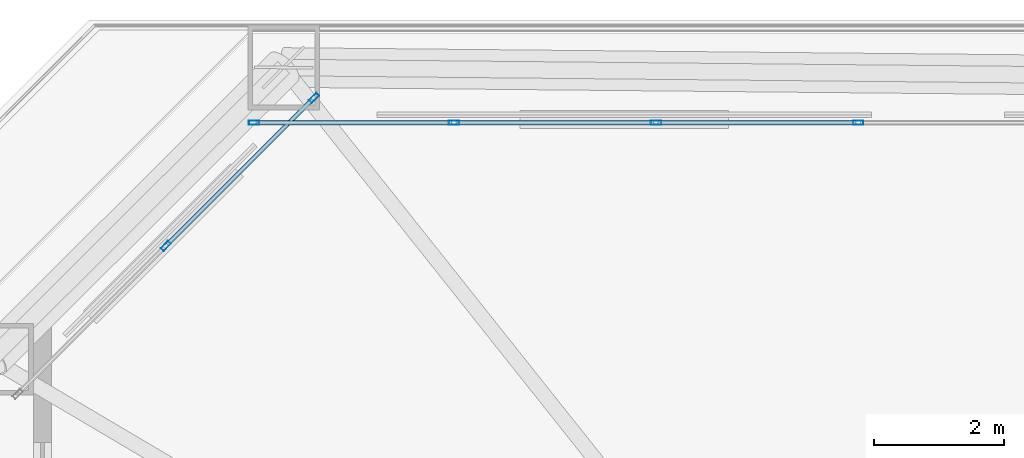
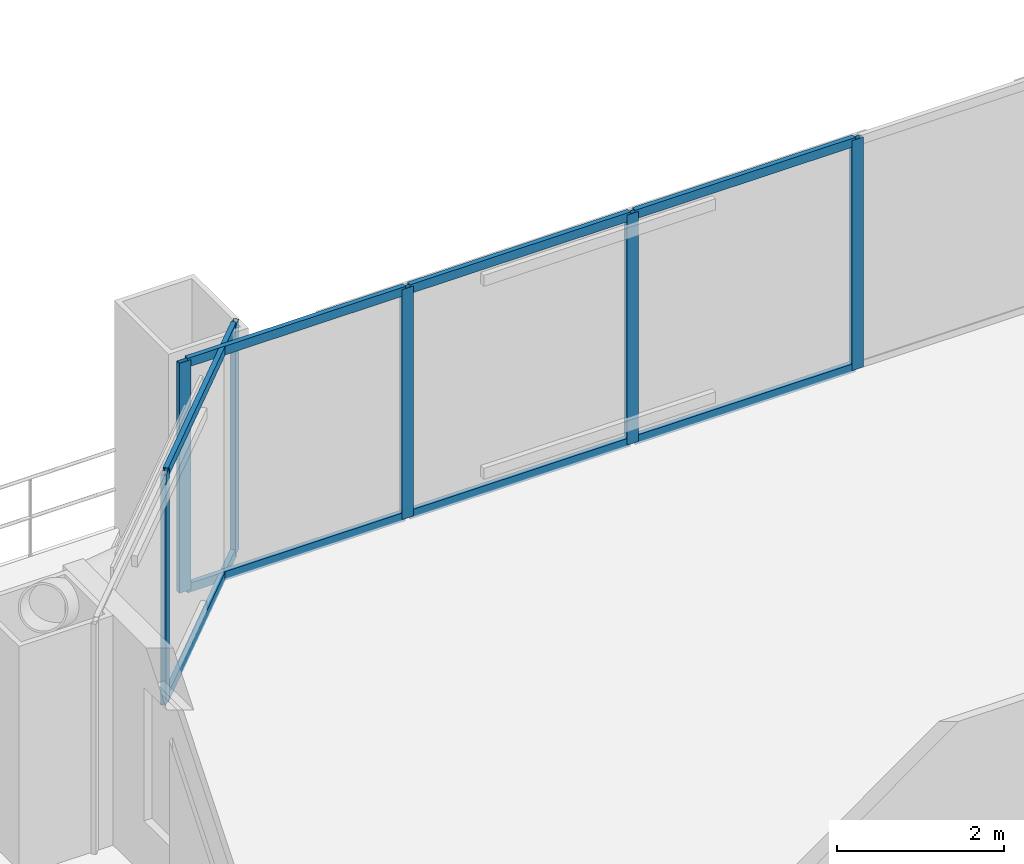
# One storey, part 19 of 34: 14 members, 2 elements without a shape of their own.
"""IFC4 building model written with IfcOpenShell, lengths in metres."""

from ifc_helpers import new_model, si_unit, direction, frame, origin, origin_2d, place, context, subcontext, project, spatial, hollow_rectangle, extrude, material, layer, layer_set, material_profile, profile_set, type_object, element, aggregate, save


model = new_model("IFC4")

# Units and contexts
model_context = context("Model", 3, precision=1e-05, world=origin(), true_north=direction((0.0, 1.0)))
body_context = subcontext(model_context, "Body", "Model", "MODEL_VIEW")
ifc_project = project(units=[si_unit("LENGTHUNIT", "METRE"), si_unit("AREAUNIT", "SQUARE_METRE"), si_unit("VOLUMEUNIT", "CUBIC_METRE"), si_unit("PLANEANGLEUNIT", "RADIAN"), si_unit("MASSUNIT", "GRAM", prefix="KILO")], contexts=[model_context])

# Site, building, storey
site_placement = place(None, origin())
site = spatial("IfcSite", under=ifc_project, at=site_placement, CompositionType="ELEMENT")
building_placement = place(site_placement, origin())
building = spatial("IfcBuilding", under=site, at=building_placement, Name="Caelvoria Tower", CompositionType="ELEMENT")
storey_placement = place(building_placement, frame((0.0, 0.0, 28.0)))
storey = spatial("IfcBuildingStorey", under=building, at=storey_placement, Name="L06", CompositionType="ELEMENT", Elevation=28.0)

# Curtain wall, members
ifc_material_1 = material(Name="Anodised Bronze Aluminium and Low-E Glass", Category="aluminium")
ifc_layer = layer(ifc_material_1, 0.18505859375, Name="Anodised Bronze Aluminium and Low-E Glass")
ifc_layer_set = layer_set([ifc_layer], Name="CW System 2 Lower Tower Bronze Unitised Facade - Anodised Bronze Aluminium and Low-E Glass")
curtain_wall_type = type_object("IfcCurtainWallType", Name="CW System 2 Lower Tower Bronze Unitised Facade", PredefinedType="NOTDEFINED", material=ifc_layer_set)
curtain_wall_1_placement = place(storey_placement, origin())
curtain_wall_1 = element("IfcCurtainWall", 1, at=curtain_wall_1_placement, inside=storey, type_object=curtain_wall_type, Name="CW-02 Curtain Wall L06-E4", PredefinedType="NOTDEFINED")
ifc_material_2 = material(Name="Anodised Bronze Architectural Aluminium", Category="aluminium")
ifc_material_profile_1 = material_profile(ifc_material_2, hollow_rectangle(XDim=0.06494140625, YDim=0.159912109375, WallThickness=0.00390625, at=origin_2d()), Name="Anodised Bronze Architectural Aluminium")
ifc_profile_set_1 = profile_set([ifc_material_profile_1], Name="CW_MULL_65X160 - Anodised Bronze Architectural Aluminium")
member_type_1 = type_object("IfcMemberType", Name="Curtain Wall Mullion 65x160 Bronze Aluminium", PredefinedType="MULLION", material=ifc_profile_set_1)
member_1_placement = place(storey_placement, frame((35.123046875, 52.6201171875, 0.0), z_axis=(0.0, 0.0, 1.0), x_axis=(0.0, -1.0, 0.0)))
member_1 = element("IfcMember", 2, at=member_1_placement, type_object=member_type_1, Name="CW-02 mullion 11", PredefinedType="MULLION", context=body_context, shape_type="SweptSolid", body=[
    extrude(hollow_rectangle(XDim=0.06494140625, YDim=0.159912109375, WallThickness=0.00390625, at=origin_2d()), origin(), (0.0, 0.0, 1.0), 3.360107421875),
])
member_2_placement = place(storey_placement, frame((32.015380859375, 52.6201171875, 0.0), z_axis=(0.0, 0.0, 1.0), x_axis=(0.0, -1.0, 0.0)))
member_2 = element("IfcMember", 3, at=member_2_placement, type_object=member_type_1, Name="CW-02 mullion 12", PredefinedType="MULLION", context=body_context, shape_type="SweptSolid", body=[
    extrude(hollow_rectangle(XDim=0.06494140625, YDim=0.159912109375, WallThickness=0.00390625, at=origin_2d()), origin(), (0.0, 0.0, 1.0), 3.360107421875),
])
member_3_placement = place(storey_placement, frame((28.90771484375, 52.6201171875, 0.0), z_axis=(0.0, 0.0, 1.0), x_axis=(0.0, -1.0, 0.0)))
member_3 = element("IfcMember", 4, at=member_3_placement, type_object=member_type_1, Name="CW-02 mullion 13", PredefinedType="MULLION", context=body_context, shape_type="SweptSolid", body=[
    extrude(hollow_rectangle(XDim=0.06494140625, YDim=0.159912109375, WallThickness=0.00390625, at=origin_2d()), origin(), (0.0, 0.0, 1.0), 3.360107421875),
])
member_4_placement = place(storey_placement, frame((25.83251953125, 52.6201171875, 0.0), z_axis=(0.0, 0.0, 1.0), x_axis=(0.0, -1.0, 0.0)))
member_4 = element("IfcMember", 5, at=member_4_placement, type_object=member_type_1, Name="CW-02 mullion 14", PredefinedType="MULLION", context=body_context, shape_type="SweptSolid", body=[
    extrude(hollow_rectangle(XDim=0.06494140625, YDim=0.159912109375, WallThickness=0.00390625, at=origin_2d()), origin(), (0.0, 0.0, 1.0), 3.360107421875),
])

curtain_wall_2_placement = place(storey_placement, origin())
curtain_wall_2 = element("IfcCurtainWall", 6, at=curtain_wall_2_placement, inside=storey, type_object=curtain_wall_type, Name="CW-02 Curtain Wall L06-E5", PredefinedType="NOTDEFINED")
member_5_placement = place(storey_placement, frame((26.7529296875, 53.001220703125, 0.0), z_axis=(0.0, 0.0, 1.0), x_axis=(0.707106781187, -0.707106781187, 0.0)))
member_5 = element("IfcMember", 7, at=member_5_placement, type_object=member_type_1, Name="CW-02 mullion 1", PredefinedType="MULLION", context=body_context, shape_type="SweptSolid", body=[
    extrude(hollow_rectangle(XDim=0.06494140625, YDim=0.159912109375, WallThickness=0.00390625, at=origin_2d()), origin(), (0.0, 0.0, 1.0), 3.360107421875),
])
member_6_placement = place(storey_placement, frame((24.475830078125, 50.72412109375, 0.0), z_axis=(0.0, 0.0, 1.0), x_axis=(0.707106781187, -0.707106781187, 0.0)))
member_6 = element("IfcMember", 8, at=member_6_placement, type_object=member_type_1, Name="CW-02 mullion 2", PredefinedType="MULLION", context=body_context, shape_type="SweptSolid", body=[
    extrude(hollow_rectangle(XDim=0.06494140625, YDim=0.159912109375, WallThickness=0.00390625, at=origin_2d()), origin(), (0.0, 0.0, 1.0), 3.360107421875),
])

# Member
ifc_material_profile_2 = material_profile(ifc_material_2, hollow_rectangle(XDim=0.06494140625, YDim=0.1298828125, WallThickness=0.00341796875, at=origin_2d()), Name="Anodised Bronze Architectural Aluminium")
ifc_profile_set_2 = profile_set([ifc_material_profile_2], Name="CW_TRAN_65X130 - Anodised Bronze Architectural Aluminium")
member_type_2 = type_object("IfcMemberType", Name="Curtain Wall Transom 65x130 Bronze Aluminium", PredefinedType="USERDEFINED", material=ifc_profile_set_2)
member_7_placement = place(storey_placement, frame((35.090576171875, 52.6201171875, 0.032470703125), z_axis=(-1.0, 0.0, 0.0), x_axis=(0.0, -1.0, 0.0)))
member_7 = element("IfcMember", 9, at=member_7_placement, type_object=member_type_2, Name="CW-02 transom 11.1", ObjectType="TRANSOM", PredefinedType="USERDEFINED", context=body_context, shape_type="SweptSolid", body=[
    extrude(hollow_rectangle(XDim=0.06494140625, YDim=0.1298828125, WallThickness=0.00341796875, at=origin_2d()), origin(), (0.0, 0.0, 1.0), 3.042724609375),
])

member_8_placement = place(storey_placement, frame((35.090576171875, 52.6201171875, 3.327392578125), z_axis=(-1.0, 0.0, 0.0), x_axis=(0.0, -1.0, 0.0)))
member_8 = element("IfcMember", 10, at=member_8_placement, type_object=member_type_2, Name="CW-02 transom 11.2", ObjectType="TRANSOM", PredefinedType="USERDEFINED", context=body_context, shape_type="SweptSolid", body=[
    extrude(hollow_rectangle(XDim=0.06494140625, YDim=0.1298828125, WallThickness=0.00341796875, at=origin_2d()), origin(), (0.0, 0.0, 1.0), 3.042724609375),
])

member_9_placement = place(storey_placement, frame((31.98291015625, 52.6201171875, 0.032470703125), z_axis=(-1.0, 0.0, 0.0), x_axis=(0.0, -1.0, 0.0)))
member_9 = element("IfcMember", 11, at=member_9_placement, type_object=member_type_2, Name="CW-02 transom 12.1", ObjectType="TRANSOM", PredefinedType="USERDEFINED", context=body_context, shape_type="SweptSolid", body=[
    extrude(hollow_rectangle(XDim=0.06494140625, YDim=0.1298828125, WallThickness=0.00341796875, at=origin_2d()), origin(), (0.0, 0.0, 1.0), 3.042724609375),
])

member_10_placement = place(storey_placement, frame((31.98291015625, 52.6201171875, 3.327392578125), z_axis=(-1.0, 0.0, 0.0), x_axis=(0.0, -1.0, 0.0)))
member_10 = element("IfcMember", 12, at=member_10_placement, type_object=member_type_2, Name="CW-02 transom 12.2", ObjectType="TRANSOM", PredefinedType="USERDEFINED", context=body_context, shape_type="SweptSolid", body=[
    extrude(hollow_rectangle(XDim=0.06494140625, YDim=0.1298828125, WallThickness=0.00341796875, at=origin_2d()), origin(), (0.0, 0.0, 1.0), 3.042724609375),
])

member_11_placement = place(storey_placement, frame((28.875244140625, 52.6201171875, 0.032470703125), z_axis=(-1.0, 0.0, 0.0), x_axis=(0.0, -1.0, 0.0)))
member_11 = element("IfcMember", 13, at=member_11_placement, type_object=member_type_2, Name="CW-02 transom 13.1", ObjectType="TRANSOM", PredefinedType="USERDEFINED", context=body_context, shape_type="SweptSolid", body=[
    extrude(hollow_rectangle(XDim=0.06494140625, YDim=0.1298828125, WallThickness=0.00341796875, at=origin_2d()), origin(), (0.0, 0.0, 1.0), 3.01025390625),
])

member_12_placement = place(storey_placement, frame((28.875244140625, 52.6201171875, 3.327392578125), z_axis=(-1.0, 0.0, 0.0), x_axis=(0.0, -1.0, 0.0)))
member_12 = element("IfcMember", 14, at=member_12_placement, type_object=member_type_2, Name="CW-02 transom 13.2", ObjectType="TRANSOM", PredefinedType="USERDEFINED", context=body_context, shape_type="SweptSolid", body=[
    extrude(hollow_rectangle(XDim=0.06494140625, YDim=0.1298828125, WallThickness=0.00341796875, at=origin_2d()), origin(), (0.0, 0.0, 1.0), 3.01025390625),
])

aggregate(curtain_wall_1, [member_1, member_2, member_3, member_4, member_7, member_8, member_9, member_10, member_11, member_12])

member_13_placement = place(storey_placement, frame((26.729736328125, 52.978271484375, 0.032470703125), z_axis=(-0.707068091789, -0.707145468468, 0.0), x_axis=(0.707145468468, -0.707068091789, 0.0)))
member_13 = element("IfcMember", 15, at=member_13_placement, type_object=member_type_2, Name="CW-02 transom 1.1", ObjectType="TRANSOM", PredefinedType="USERDEFINED", context=body_context, shape_type="SweptSolid", body=[
    extrude(hollow_rectangle(XDim=0.06494140625, YDim=0.1298828125, WallThickness=0.00341796875, at=origin_2d()), origin(), (0.0, 0.0, 1.0), 3.1552734375),
])

member_14_placement = place(storey_placement, frame((26.729736328125, 52.978271484375, 3.327392578125), z_axis=(-0.707068091789, -0.707145468468, 0.0), x_axis=(0.707145468468, -0.707068091789, 0.0)))
member_14 = element("IfcMember", 16, at=member_14_placement, type_object=member_type_2, Name="CW-02 transom 1.2", ObjectType="TRANSOM", PredefinedType="USERDEFINED", context=body_context, shape_type="SweptSolid", body=[
    extrude(hollow_rectangle(XDim=0.06494140625, YDim=0.1298828125, WallThickness=0.00341796875, at=origin_2d()), origin(), (0.0, 0.0, 1.0), 3.1552734375),
])

aggregate(curtain_wall_2, [member_5, member_6, member_13, member_14])

save(model, "model.ifc")
